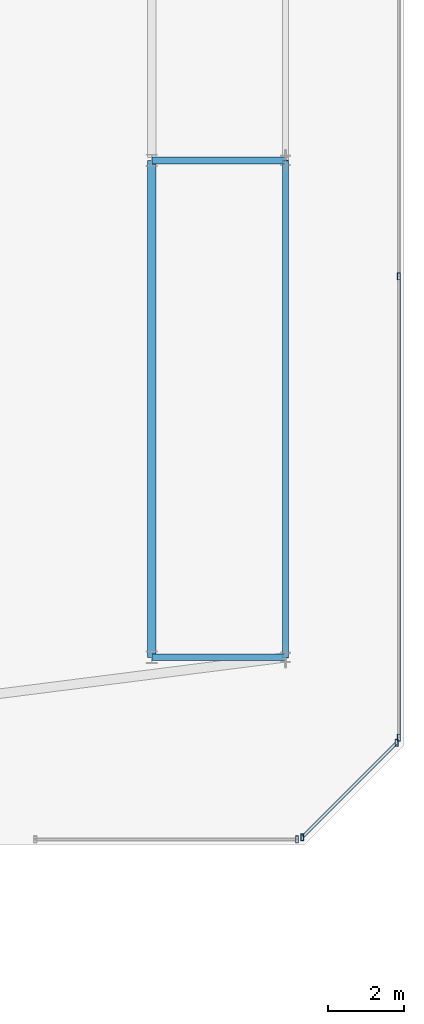
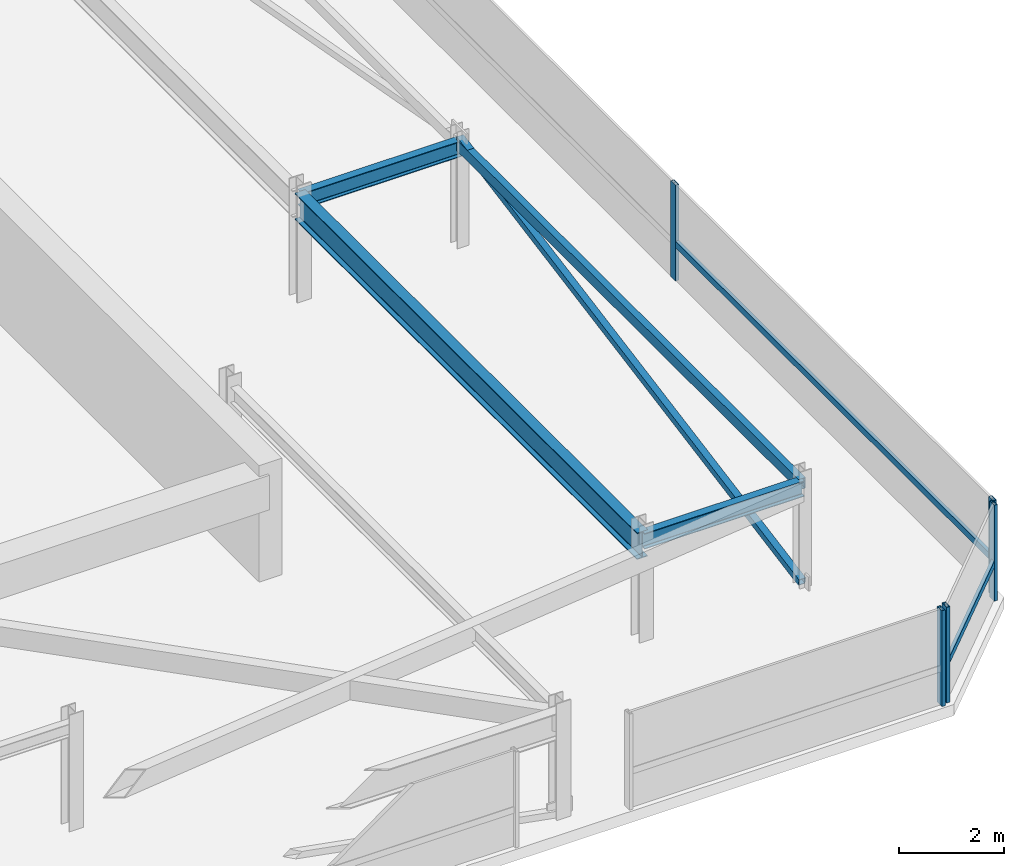
# One storey, part 33 of 44: 8 members, 4 beams, 3 elements without a shape of their own.
"""IFC4 building model written with IfcOpenShell, lengths in metres."""

from ifc_helpers import new_model, si_unit, direction, frame, origin, origin_2d, place, context, subcontext, project, spatial, hollow_rectangle, i_section, extrude, material, material_profile, profile_set, type_object, element, aggregate, save


model = new_model("IFC4")

# Units and contexts
model_context = context("Model", 3, precision=1e-05, world=origin(), true_north=direction((0.0, 1.0)))
body_context = subcontext(model_context, "Body", "Model", "MODEL_VIEW")
ifc_project = project(units=[si_unit("LENGTHUNIT", "METRE"), si_unit("AREAUNIT", "SQUARE_METRE"), si_unit("VOLUMEUNIT", "CUBIC_METRE"), si_unit("PLANEANGLEUNIT", "RADIAN"), si_unit("MASSUNIT", "GRAM", prefix="KILO")], contexts=[model_context])

# Site, building, storey
site_placement = place(None, origin())
site = spatial("IfcSite", under=ifc_project, at=site_placement, CompositionType="ELEMENT")
building_placement = place(site_placement, origin())
building = spatial("IfcBuilding", under=site, at=building_placement, Name="Thornwick Lancets Civic Towers", CompositionType="ELEMENT")
storey_placement = place(building_placement, frame((0.0, 0.0, 294.89990234375)))
storey = spatial("IfcBuildingStorey", under=building, at=storey_placement, Name="C06", CompositionType="ELEMENT", Elevation=294.89990234375)

# Beams
ifc_material_1 = material(Name="Steel S355JR", Category="steel")
ifc_material_profile_1 = material_profile(ifc_material_1, hollow_rectangle(XDim=0.14990234375, YDim=0.25, WallThickness=0.012451171875, at=origin_2d()), Name="RHS 250x150x12.5")
ifc_profile_set_1 = profile_set([ifc_material_profile_1], Name="Steel S355JR")
beam_type_1 = type_object("IfcBeamType", Name="BM_CROWN_RHS250", PredefinedType="BEAM", material=ifc_profile_set_1)
beam_1_placement = place(storey_placement, frame((109.300048828125, 14.0, 2.315185546875), z_axis=(0.0, 1.0, 0.0), x_axis=(-1.0, 0.0, 0.0)))
element("IfcBeam", 1, at=beam_1_placement, inside=storey, type_object=beam_type_1, Name="BM-EDGE-C06-B-S0-1", PredefinedType="BEAM", context=body_context, shape_type="SweptSolid", body=[
    extrude(hollow_rectangle(XDim=0.14990234375, YDim=0.25, WallThickness=0.012451171875, at=origin_2d()), origin(), (0.0, 0.0, 1.0), 13.0),
])
ifc_material_profile_2 = material_profile(ifc_material_1, i_section(OverallWidth=0.230224609375, OverallDepth=0.6171875, WebThickness=0.01318359375, FlangeThickness=0.022216796875, FilletRadius=0.0126953125, at=origin_2d()), Name="UKB 610x229x140")
ifc_profile_set_2 = profile_set([ifc_material_profile_2], Name="Steel S355JR")
beam_type_2 = type_object("IfcBeamType", Name="BM_GIRD_610_140", PredefinedType="BEAM", material=ifc_profile_set_2)
beam_2_placement = place(storey_placement, frame((105.800048828125, 14.0, 2.131591796875), z_axis=(0.0, 1.0, 0.0), x_axis=(-1.0, 0.0, 0.0)))
element("IfcBeam", 2, at=beam_2_placement, inside=storey, type_object=beam_type_2, Name="BM-SPINE-C06-B-0-1", PredefinedType="BEAM", context=body_context, shape_type="SweptSolid", body=[
    extrude(i_section(OverallWidth=0.230224609375, OverallDepth=0.6171875, WebThickness=0.01318359375, FlangeThickness=0.022216796875, FilletRadius=0.0126953125, at=origin_2d()), origin(), (0.0, 0.0, 1.0), 13.0),
])
ifc_material_profile_3 = material_profile(ifc_material_1, i_section(OverallWidth=0.173095703125, OverallDepth=0.36328125, WebThickness=0.009033203125, FlangeThickness=0.015625, FilletRadius=0.01025390625, at=origin_2d()), Name="UKB 356x171x67")
ifc_profile_set_3 = profile_set([ifc_material_profile_3], Name="Steel S355JR")
beam_type_3 = type_object("IfcBeamType", Name="BM_JOIST_356_67", PredefinedType="JOIST", material=ifc_profile_set_3)
for number, where, z_axis, x_axis, name in (
    (3, (105.800048828125, 14.0, 2.25830078125), (1.0, 0.0, 0.0), (0.0, 1.0, 0.0), "BM-RAD-C06-B01"),
    (4, (105.800048828125, 27.0, 2.25830078125), (1.0, 0.0, 0.0), (0.0, 1.0, 0.0), "BM-RAD-C06-B02"),
):
    element("IfcBeam", number, at=place(storey_placement, frame(where, z_axis=z_axis, x_axis=x_axis)), inside=storey, type_object=beam_type_3, Name=name, PredefinedType="JOIST", context=body_context, shape_type="SweptSolid", body=[
        extrude(i_section(OverallWidth=0.173095703125, OverallDepth=0.36328125, WebThickness=0.009033203125, FlangeThickness=0.015625, FilletRadius=0.01025390625, at=origin_2d()), origin(), (0.0, 0.0, 1.0), 3.5),
    ])

# Curtain wall, member
ifc_material_2 = material(Name="Crown ring acoustic-louvre and glazing screen wall", Category="glass")
curtain_wall_type = type_object("IfcCurtainWallType", Name="CW_SYS_07", PredefinedType="NOTDEFINED", material=ifc_material_2)
curtain_wall_1_placement = place(storey_placement, origin())
curtain_wall_1 = element("IfcCurtainWall", 5, at=curtain_wall_1_placement, inside=storey, type_object=curtain_wall_type, Name="C06 Curtain Wall CW-C06-B-E0-S3", PredefinedType="NOTDEFINED")
ifc_material_3 = material(Name="Thermally broken bronze aluminium S355", Category="steel")
ifc_material_profile_4 = material_profile(ifc_material_3, hollow_rectangle(XDim=0.074951171875, YDim=0.179931640625, WallThickness=0.006103515625, at=origin_2d()), Name="RHS 180x75x6")
ifc_profile_set_4 = profile_set([ifc_material_profile_4], Name="Thermally broken bronze aluminium S355")
member_type_1 = type_object("IfcMemberType", Name="CW_MUL_180", PredefinedType="MULLION", material=ifc_profile_set_4)
member_1_placement = place(storey_placement, frame((109.601318359375, 9.2353515625, 0.0), z_axis=(0.0, 0.0, 1.0), x_axis=(1.0, 0.0, 0.0)))
member_1 = element("IfcMember", 6, at=member_1_placement, type_object=member_type_1, Name="CW-C06-B-E0-S3 Mullion 1", PredefinedType="MULLION", context=body_context, shape_type="SweptSolid", body=[
    extrude(hollow_rectangle(XDim=0.074951171875, YDim=0.179931640625, WallThickness=0.006103515625, at=origin_2d()), origin(), (0.0, 0.0, 1.0), 2.22021484375),
])
aggregate(curtain_wall_1, [member_1])

# Curtain wall, members
curtain_wall_2_placement = place(storey_placement, origin())
curtain_wall_2 = element("IfcCurtainWall", 7, at=curtain_wall_2_placement, inside=storey, type_object=curtain_wall_type, Name="C06 Curtain Wall CW-C06-B-E1", PredefinedType="NOTDEFINED")
member_2_placement = place(storey_placement, frame((109.738037109375, 9.2919921875, 0.0), z_axis=(0.0, 0.0, 1.0), x_axis=(1.0, 0.0, 0.0)))
member_2 = element("IfcMember", 8, at=member_2_placement, type_object=member_type_1, Name="CW-C06-B-E1 Mullion 0", PredefinedType="MULLION", context=body_context, shape_type="SweptSolid", body=[
    extrude(hollow_rectangle(XDim=0.074951171875, YDim=0.179931640625, WallThickness=0.006103515625, at=origin_2d()), origin(), (0.0, 0.0, 1.0), 2.22021484375),
])
member_3_placement = place(storey_placement, frame((112.2080078125, 11.761962890625, 0.0), z_axis=(0.0, 0.0, 1.0), x_axis=(1.0, 0.0, 0.0)))
member_3 = element("IfcMember", 9, at=member_3_placement, type_object=member_type_1, Name="CW-C06-B-E1 Mullion 1", PredefinedType="MULLION", context=body_context, shape_type="SweptSolid", body=[
    extrude(hollow_rectangle(XDim=0.074951171875, YDim=0.179931640625, WallThickness=0.006103515625, at=origin_2d()), origin(), (0.0, 0.0, 1.0), 2.22021484375),
])

curtain_wall_3_placement = place(storey_placement, origin())
curtain_wall_3 = element("IfcCurtainWall", 10, at=curtain_wall_3_placement, inside=storey, type_object=curtain_wall_type, Name="C06 Curtain Wall CW-C06-B-E2", PredefinedType="NOTDEFINED")
member_4_placement = place(storey_placement, frame((112.2646484375, 11.898681640625, 0.0), z_axis=(0.0, 0.0, 1.0), x_axis=(1.0, 0.0, 0.0)))
member_4 = element("IfcMember", 11, at=member_4_placement, type_object=member_type_1, Name="CW-C06-B-E2 Mullion 0", PredefinedType="MULLION", context=body_context, shape_type="SweptSolid", body=[
    extrude(hollow_rectangle(XDim=0.074951171875, YDim=0.179931640625, WallThickness=0.006103515625, at=origin_2d()), origin(), (0.0, 0.0, 1.0), 2.22021484375),
])
member_5_placement = place(storey_placement, frame((112.2646484375, 23.96630859375, 0.0), z_axis=(0.0, 0.0, 1.0), x_axis=(1.0, 0.0, 0.0)))
member_5 = element("IfcMember", 12, at=member_5_placement, type_object=member_type_1, Name="CW-C06-B-E2 Mullion 1", PredefinedType="MULLION", context=body_context, shape_type="SweptSolid", body=[
    extrude(hollow_rectangle(XDim=0.074951171875, YDim=0.179931640625, WallThickness=0.006103515625, at=origin_2d()), origin(), (0.0, 0.0, 1.0), 2.22021484375),
])

# Member
ifc_material_profile_5 = material_profile(ifc_material_3, hollow_rectangle(XDim=0.074951171875, YDim=0.14990234375, WallThickness=0.0048828125, at=origin_2d()), Name="RHS 150x75x5")
ifc_profile_set_5 = profile_set([ifc_material_profile_5], Name="Thermally broken bronze aluminium S355")
member_type_2 = type_object("IfcMemberType", Name="CW_TRN_150", PredefinedType="USERDEFINED", material=ifc_profile_set_5)
member_6_placement = place(storey_placement, frame((109.752197265625, 9.30615234375, 0.85009765625), z_axis=(0.707106781187, 0.707106781187, 0.0), x_axis=(-0.707106781187, 0.707106781187, 0.0)))
member_6 = element("IfcMember", 13, at=member_6_placement, type_object=member_type_2, Name="CW-C06-B-E1 Transom 0", ObjectType="TRANSOM", PredefinedType="USERDEFINED", context=body_context, shape_type="SweptSolid", body=[
    extrude(hollow_rectangle(XDim=0.074951171875, YDim=0.14990234375, WallThickness=0.0048828125, at=origin_2d()), origin(), (0.0, 0.0, 1.0), 3.453125),
])

aggregate(curtain_wall_2, [member_2, member_3, member_6])

member_7_placement = place(storey_placement, frame((112.2646484375, 11.918701171875, 0.85009765625), z_axis=(0.0, 1.0, 0.0), x_axis=(-1.0, 0.0, 0.0)))
member_7 = element("IfcMember", 14, at=member_7_placement, type_object=member_type_2, Name="CW-C06-B-E2 Transom 0", ObjectType="TRANSOM", PredefinedType="USERDEFINED", context=body_context, shape_type="SweptSolid", body=[
    extrude(hollow_rectangle(XDim=0.074951171875, YDim=0.14990234375, WallThickness=0.0048828125, at=origin_2d()), origin(), (0.0, 0.0, 1.0), 12.027587890625),
])

aggregate(curtain_wall_3, [member_4, member_5, member_7])

ifc_material_profile_6 = material_profile(ifc_material_1, hollow_rectangle(XDim=0.14990234375, YDim=0.14990234375, WallThickness=0.010009765625, at=origin_2d()), Name="SHS 150x150x10")
ifc_profile_set_6 = profile_set([ifc_material_profile_6], Name="Steel S355JR")
member_type_3 = type_object("IfcMemberType", Name="MEM_CROWN_SHS150", PredefinedType="BRACE", material=ifc_profile_set_6)
member_8_placement = place(storey_placement, frame((109.300048828125, 14.0, 0.050048828125), z_axis=(0.0, 0.983515136313, 0.180825818519), x_axis=(-1.0, 0.0, 0.0)))
element("IfcMember", 15, at=member_8_placement, inside=storey, type_object=member_type_3, Name="C06 Crown Ring Lancet Rib B-S0-L", PredefinedType="BRACE", context=body_context, shape_type="SweptSolid", body=[
    extrude(hollow_rectangle(XDim=0.14990234375, YDim=0.14990234375, WallThickness=0.010009765625, at=origin_2d()), origin(), (0.0, 0.0, 1.0), 13.2177734375),
])

save(model, "model.ifc")
